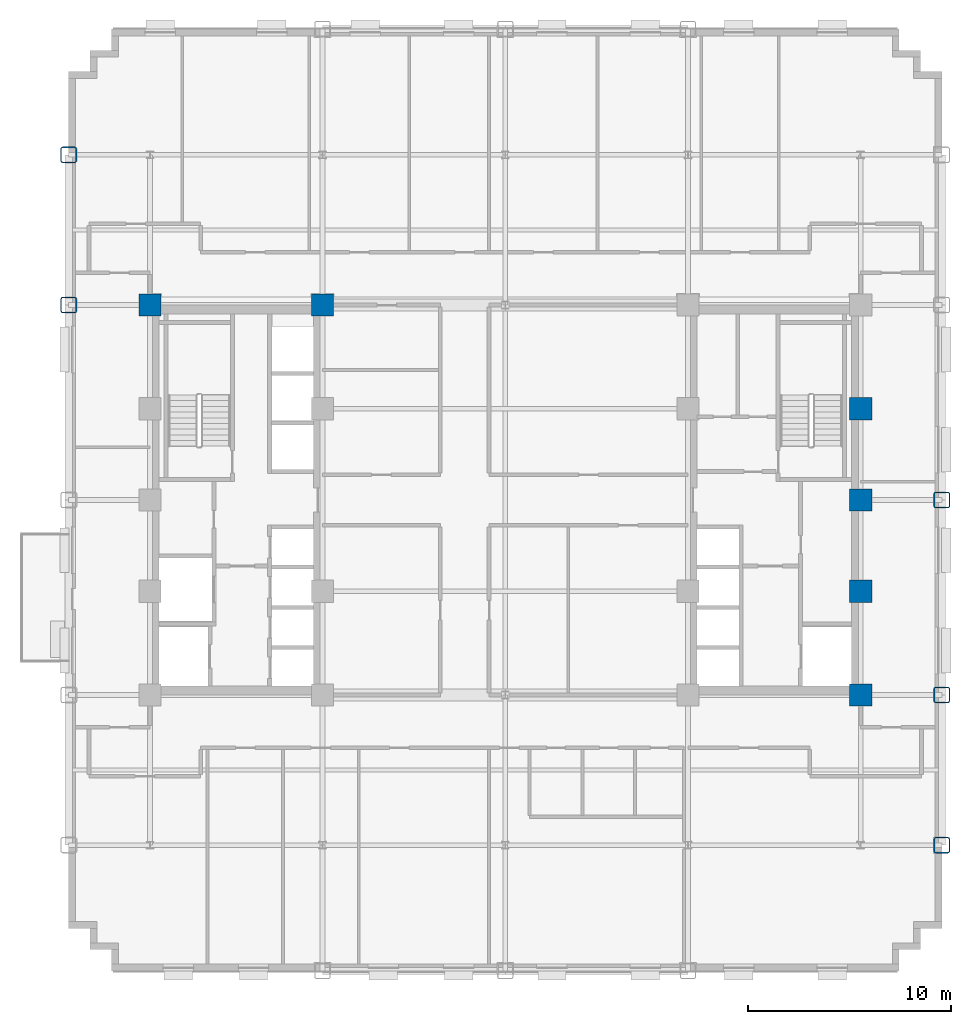
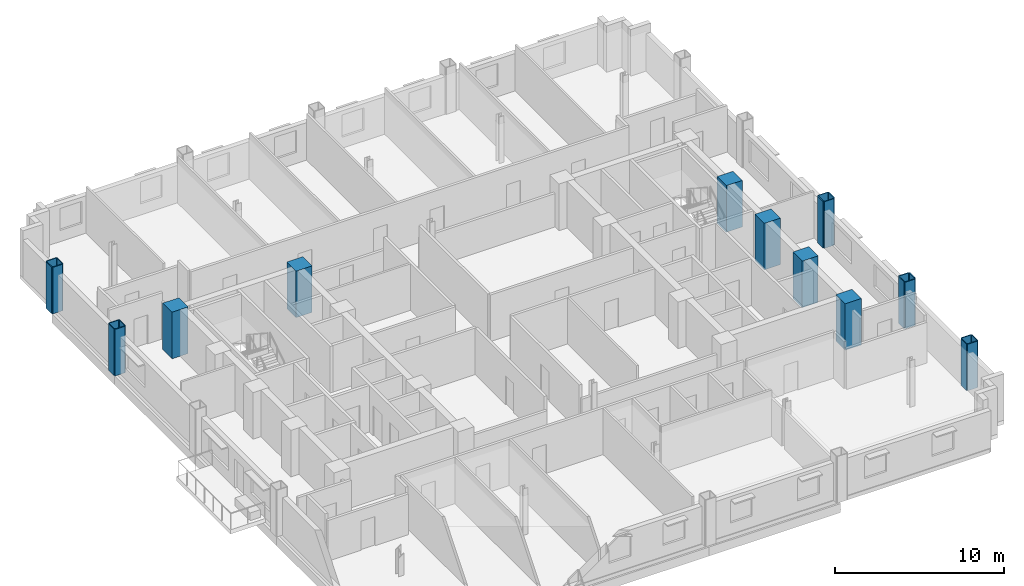
# One storey, part 2 of 14: 11 columns.
"""IFC4 building model written with IfcOpenShell, lengths in metres."""

from ifc_helpers import new_model, si_unit, direction, frame, origin, origin_2d, place, context, subcontext, project, spatial, rectangle, hollow_rectangle, extrude, material, material_profile, profile_set, type_object, element, save


model = new_model("IFC4")

# Units and contexts
model_context = context("Model", 3, precision=1e-05, world=origin(), true_north=direction((0.0, 1.0)))
body_context = subcontext(model_context, "Body", "Model", "MODEL_VIEW")
ifc_project = project(units=[si_unit("LENGTHUNIT", "METRE"), si_unit("AREAUNIT", "SQUARE_METRE"), si_unit("VOLUMEUNIT", "CUBIC_METRE"), si_unit("PLANEANGLEUNIT", "RADIAN"), si_unit("MASSUNIT", "GRAM", prefix="KILO")], contexts=[model_context])

# Site, building, storey
site_placement = place(None, origin())
site = spatial("IfcSite", under=ifc_project, at=site_placement, CompositionType="ELEMENT")
building_placement = place(site_placement, origin())
building = spatial("IfcBuilding", under=site, at=building_placement, Name="Nuvemarco Arch Tower", CompositionType="ELEMENT")
storey_placement = place(building_placement, frame((0.0, 0.0, 64.10009765625)))
storey = spatial("IfcBuildingStorey", under=building, at=storey_placement, Name="L16", CompositionType="ELEMENT", Elevation=64.10009765625)

# Columns
ifc_material_1 = material(Name="Concrete C60/75", Category="concrete")
ifc_material_profile_1 = material_profile(ifc_material_1, rectangle(XDim=1.10009765625, YDim=1.10009765625, at=origin_2d()), Name="RC-COL-1100x1100")
ifc_profile_set_1 = profile_set([ifc_material_profile_1], Name="Concrete C60/75")
column_type_1 = type_object("IfcColumnType", Name="COL-CORE-1100", PredefinedType="COLUMN", material=ifc_profile_set_1)
for number, where, z_axis, x_axis, name in (
    (1, (-17.5, 9.60009765625, 0.0), (0.0, 0.0, 1.0), (1.0, 0.0, 0.0), "L16 column CC_-17.5_+9.6"),
    (2, (-9.0, 9.60009765625, 0.0), (0.0, 0.0, 1.0), (1.0, 0.0, 0.0), "L16 column CC_-9.0_+9.6"),
    (3, (17.5, -9.60009765625, 0.0), (0.0, 0.0, 1.0), (1.0, 0.0, 0.0), "L16 column CC_+17.5_-9.6"),
    (4, (17.5, -4.5, 0.0), (0.0, 0.0, 1.0), (1.0, 0.0, 0.0), "L16 column CC_+17.5_-4.5"),
    (5, (17.5, 4.5, 0.0), (0.0, 0.0, 1.0), (1.0, 0.0, 0.0), "L16 column CC_+17.5_+4.5"),
    (6, (17.5, 0.0, 0.0), (0.0, 0.0, 1.0), (1.0, 0.0, 0.0), "L16 column CC_+17.5_+0.0"),
):
    element("IfcColumn", number, at=place(storey_placement, frame(where, z_axis=z_axis, x_axis=x_axis)), inside=storey, type_object=column_type_1, Name=name, PredefinedType="COLUMN", context=body_context, shape_type="SweptSolid", body=[
        extrude(rectangle(XDim=1.10009765625, YDim=1.10009765625, at=origin_2d()), origin(), (0.0, 0.0, 1.0), 3.369873046875),
    ])
ifc_material_2 = material(Name="Steel S460", Category="steel")
ifc_material_profile_2 = material_profile(ifc_material_2, hollow_rectangle(XDim=0.800048828125, YDim=0.800048828125, WallThickness=0.054931640625, InnerFilletRadius=0.054931640625, OuterFilletRadius=0.110107421875, at=origin_2d()), Name="SHS800x800x55")
ifc_profile_set_2 = profile_set([ifc_material_profile_2], Name="Steel S460")
column_type_2 = type_object("IfcColumnType", Name="COL-EXO-800", PredefinedType="COLUMN", material=ifc_profile_set_2)
for number, where, z_axis, x_axis, name in (
    (7, (-21.5, 9.60009765625, 0.0), (0.0, 0.0, 1.0), (1.0, 0.0, 0.0), "L16 column CX_-21.5_+9.6"),
    (8, (-21.5, 17.0, 0.0), (0.0, 0.0, 1.0), (1.0, 0.0, 0.0), "L16 column CX_-21.5_+17.0"),
    (9, (21.5, -17.0, 0.0), (0.0, 0.0, 1.0), (1.0, 0.0, 0.0), "L16 column CX_+21.5_-17.0"),
    (10, (21.5, -9.60009765625, 0.0), (0.0, 0.0, 1.0), (1.0, 0.0, 0.0), "L16 column CX_+21.5_-9.6"),
    (11, (21.5, 0.0, 0.0), (0.0, 0.0, 1.0), (1.0, 0.0, 0.0), "L16 column CX_+21.5_+0.0"),
):
    element("IfcColumn", number, at=place(storey_placement, frame(where, z_axis=z_axis, x_axis=x_axis)), inside=storey, type_object=column_type_2, Name=name, PredefinedType="COLUMN", context=body_context, shape_type="SweptSolid", body=[
        extrude(hollow_rectangle(XDim=0.800048828125, YDim=0.800048828125, WallThickness=0.054931640625, InnerFilletRadius=0.054931640625, OuterFilletRadius=0.110107421875, at=origin_2d()), origin(), (0.0, 0.0, 1.0), 3.369873046875),
    ])

save(model, "model.ifc")
